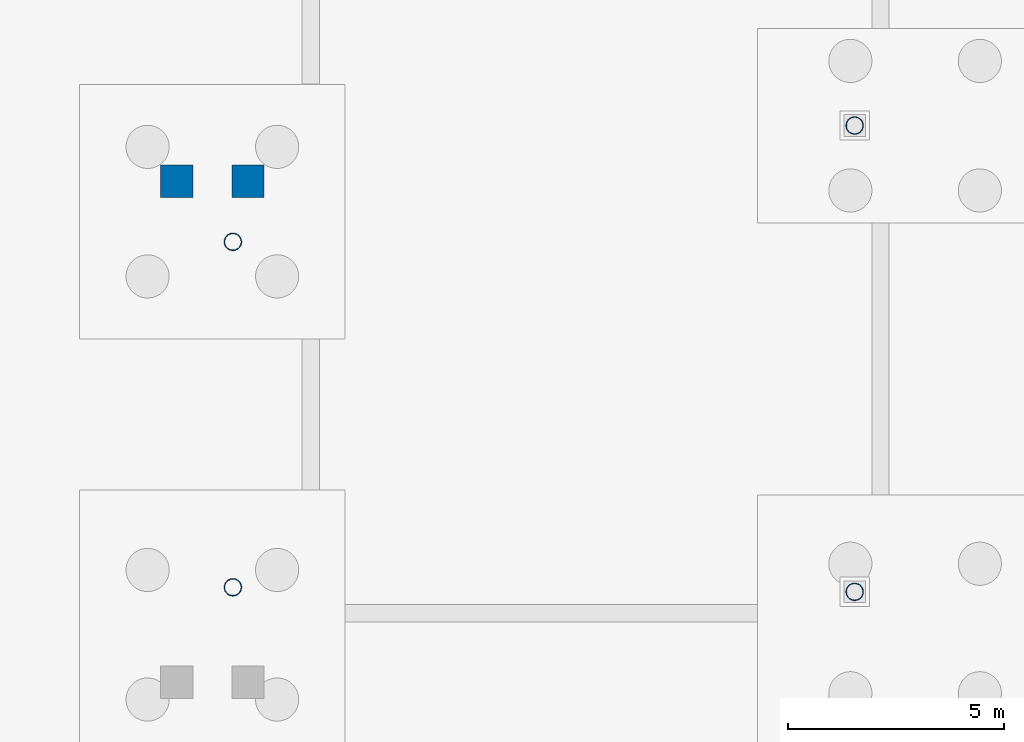
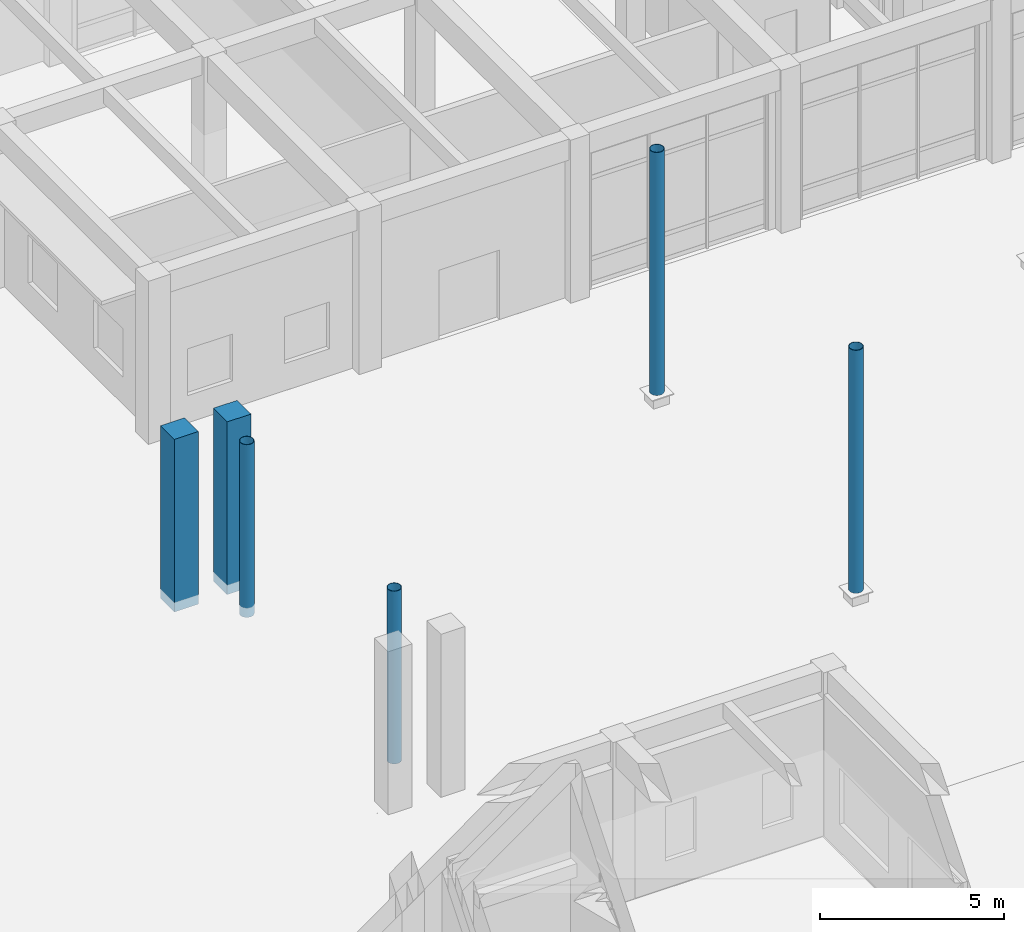
# One storey, part 11 of 82: 6 columns.
"""IFC4 building model written with IfcOpenShell, lengths in metres."""

from ifc_helpers import new_model, si_unit, direction, frame, origin, origin_2d, place, context, subcontext, project, spatial, rectangle, hollow_circle, extrude, material, material_profile, profile_set, type_object, element, save


model = new_model("IFC4")

# Units and contexts
model_context = context("Model", 3, precision=1e-05, world=origin(), true_north=direction((0.0, 1.0)))
body_context = subcontext(model_context, "Body", "Model", "MODEL_VIEW")
ifc_project = project(units=[si_unit("LENGTHUNIT", "METRE"), si_unit("AREAUNIT", "SQUARE_METRE"), si_unit("VOLUMEUNIT", "CUBIC_METRE"), si_unit("PLANEANGLEUNIT", "RADIAN"), si_unit("MASSUNIT", "GRAM", prefix="KILO")], contexts=[model_context])

# Site, building, storey
site_placement = place(None, origin())
site = spatial("IfcSite", under=ifc_project, at=site_placement, CompositionType="ELEMENT")
building_placement = place(site_placement, origin())
building = spatial("IfcBuilding", under=site, at=building_placement, Name="Kolvaren Faculty of Natural Sciences", CompositionType="ELEMENT")
storey_placement = place(building_placement, origin())
storey = spatial("IfcBuildingStorey", under=building, at=storey_placement, Name="L00", CompositionType="ELEMENT", Elevation=0.0)

# Columns
ifc_material_1 = material(Name="Structural steel EN 10210-1 S355J2H (white architectural finish)", Category="steel")
ifc_material_profile_1 = material_profile(ifc_material_1, hollow_circle(Radius=0.203125, WallThickness=0.01416015625, at=origin_2d()), Name="CHS 406.4x14.2")
ifc_profile_set_1 = profile_set([ifc_material_profile_1], Name="Structural steel EN 10210-1 S355J2H (white architectural finish)")
column_type_1 = type_object("IfcColumnType", Name="PortalTreeTrunk_CHS406", PredefinedType="COLUMN", material=ifc_profile_set_1)
for number, where, z_axis, x_axis, name in (
    (1, (52.39990234375, 51.09375, 0.35009765625), (0.0, 0.0, 1.0), (1.0, 0.0, 0.0), "Covered street white steel tree trunk TREE-01"),
    (2, (52.39990234375, 61.893798828125, 0.35009765625), (0.0, 0.0, 1.0), (1.0, 0.0, 0.0), "Covered street white steel tree trunk TREE-02"),
):
    element("IfcColumn", number, at=place(storey_placement, frame(where, z_axis=z_axis, x_axis=x_axis)), inside=storey, type_object=column_type_1, Name=name, PredefinedType="COLUMN", context=body_context, shape_type="SweptSolid", body=[
        extrude(hollow_circle(Radius=0.203125, WallThickness=0.01416015625, at=origin_2d()), origin(), (0.0, 0.0, 1.0), 8.0498046875),
    ])
for number, where, z_axis, x_axis, name in (
    (3, (38.0, 51.199951171875, -0.320068359375), (0.0, 0.0, 1.0), (1.0, 0.0, 0.0), "Covered street canopy portal column W-S (L00)"),
    (4, (38.0, 59.199951171875, -0.320068359375), (0.0, 0.0, 1.0), (1.0, 0.0, 0.0), "Covered street canopy portal column W-N (L00)"),
):
    element("IfcColumn", number, at=place(storey_placement, frame(where, z_axis=z_axis, x_axis=x_axis)), inside=storey, type_object=column_type_1, Name=name, PredefinedType="COLUMN", context=body_context, shape_type="SweptSolid", body=[
        extrude(hollow_circle(Radius=0.203125, WallThickness=0.01416015625, at=origin_2d()), origin(), (0.0, 0.0, 1.0), 5.719970703125),
    ])
ifc_material_2 = material(Name="Concrete C40/50", Category="concrete")
ifc_material_profile_2 = material_profile(ifc_material_2, rectangle(XDim=0.75, YDim=0.75, at=origin_2d()), Name="RC COL 750x750")
ifc_profile_set_2 = profile_set([ifc_material_profile_2], Name="Concrete C40/50")
column_type_2 = type_object("IfcColumnType", Name="TowerColumn_750x750", PredefinedType="COLUMN", material=ifc_profile_set_2)
for number, where, z_axis, x_axis, name in (
    (5, (36.699951171875, 60.60009765625, -0.320068359375), (0.0, 0.0, 1.0), (1.0, 0.0, 0.0), "West Covered-Street Monumental Gateway Pishtaq monumental pier R (L00)"),
    (6, (38.35009765625, 60.60009765625, -0.320068359375), (0.0, 0.0, 1.0), (1.0, 0.0, 0.0), "West Covered-Street Monumental Gateway Pishtaq monumental pier RB (L00)"),
):
    element("IfcColumn", number, at=place(storey_placement, frame(where, z_axis=z_axis, x_axis=x_axis)), inside=storey, type_object=column_type_2, Name=name, PredefinedType="COLUMN", context=body_context, shape_type="SweptSolid", body=[
        extrude(rectangle(XDim=0.75, YDim=0.75, at=origin_2d()), origin(), (0.0, 0.0, 1.0), 5.719970703125),
    ])

save(model, "model.ifc")
